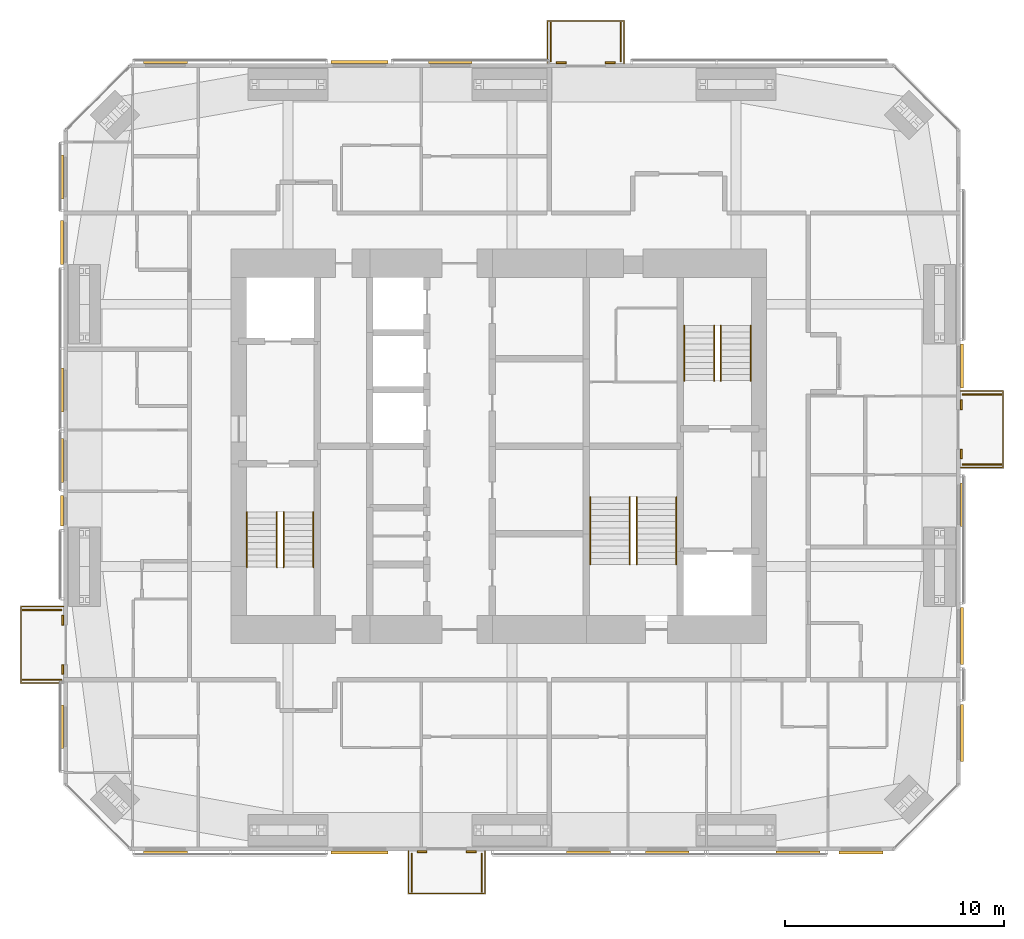
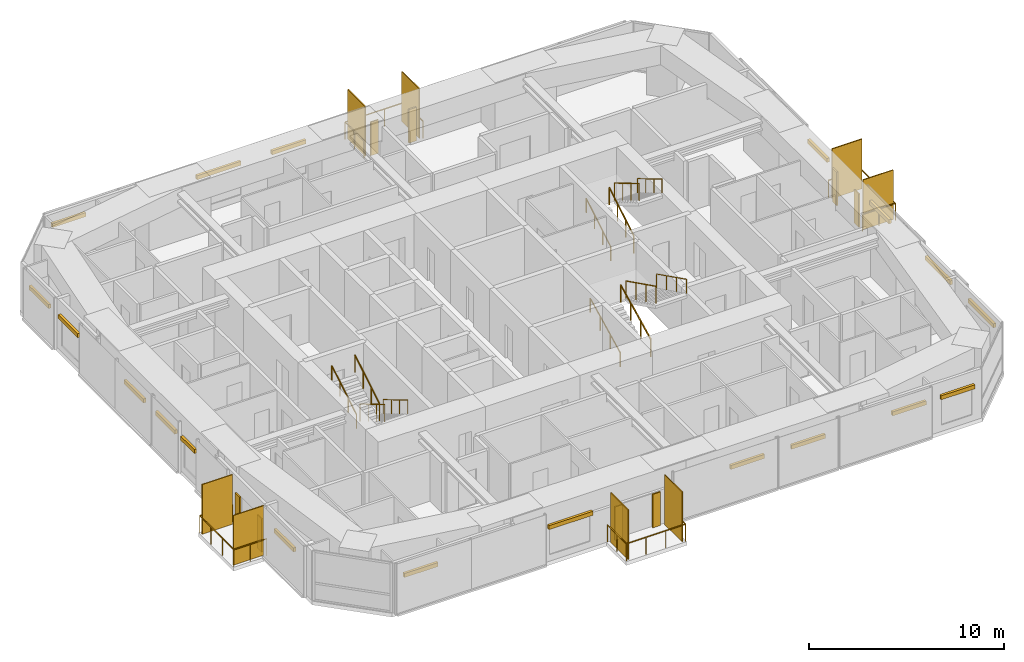
# One storey, part 22 of 22: 35 shading devices, 16 railings.
"""IFC4 building model written with IfcOpenShell, lengths in metres."""

from ifc_helpers import new_model, si_unit, direction, frame, origin, origin_2d, place, context, subcontext, project, spatial, rectangle, circle, extrude, material, layer, layer_set, constituent, constituent_set, type_object, element, save


model = new_model("IFC4")

# Units and contexts
model_context = context("Model", 3, precision=1e-05, world=origin(), true_north=direction((0.0, 1.0)))
body_context = subcontext(model_context, "Body", "Model", "MODEL_VIEW")
ifc_project = project(units=[si_unit("LENGTHUNIT", "METRE"), si_unit("AREAUNIT", "SQUARE_METRE"), si_unit("VOLUMEUNIT", "CUBIC_METRE"), si_unit("PLANEANGLEUNIT", "RADIAN"), si_unit("MASSUNIT", "GRAM", prefix="KILO")], contexts=[model_context])

# Site, building, storey
site_placement = place(None, origin())
site = spatial("IfcSite", under=ifc_project, at=site_placement, CompositionType="ELEMENT")
building_placement = place(site_placement, origin())
building = spatial("IfcBuilding", under=site, at=building_placement, Name="Jalousie Tower", CompositionType="ELEMENT")
storey_placement = place(building_placement, frame((0.0, 0.0, 201.25)))
storey = spatial("IfcBuildingStorey", under=building, at=storey_placement, Name="L55", CompositionType="ELEMENT", Elevation=201.25)

# Shading devices
ifc_material_1 = material(Name="Aluminium impact-rated louvred storm shutter", Category="aluminium")
shading_device_type_1 = type_object("IfcShadingDeviceType", Name="BI-FOLD STORM SHUTTER 900x2100", PredefinedType="SHUTTER", material=ifc_material_1)
for number, where, z_axis, x_axis, name in (
    (1, (28.387451171875, -0.0400390625, 0.0), (0.0, 0.0, 1.0), (1.0, 0.0, 0.0), "Balcony storm shutter L55"),
    (2, (30.637451171875, -0.0400390625, 0.0), (0.0, 0.0, 1.0), (1.0, 0.0, 0.0), "Balcony storm shutter L55"),
    (3, (53.0400390625, 18.14990234375, 0.0), (0.0, 0.0, 1.0), (0.0, 1.0, 0.0), "Balcony storm shutter L55"),
    (4, (53.0400390625, 20.39990234375, 0.0), (0.0, 0.0, 1.0), (0.0, 1.0, 0.0), "Balcony storm shutter L55"),
    (5, (37.0, 36.0400390625, 0.0), (0.0, 0.0, 1.0), (-1.0, 0.0, 0.0), "Balcony storm shutter L55"),
    (6, (34.75, 36.0400390625, 0.0), (0.0, 0.0, 1.0), (-1.0, 0.0, 0.0), "Balcony storm shutter L55"),
    (7, (11.9599609375, 10.550048828125, 0.0), (0.0, 0.0, 1.0), (0.0, -1.0, 0.0), "Balcony storm shutter L55"),
    (8, (11.9599609375, 8.300048828125, 0.0), (0.0, 0.0, 1.0), (0.0, -1.0, 0.0), "Balcony storm shutter L55"),
):
    element("IfcShadingDevice", number, at=place(storey_placement, frame(where, z_axis=z_axis, x_axis=x_axis)), inside=storey, type_object=shading_device_type_1, Name=name, PredefinedType="SHUTTER", context=body_context, shape_type="SweptSolid", body=[
        extrude(rectangle(XDim=0.449951171875, YDim=0.080078125, at=origin_2d()), origin(), (0.0, 0.0, 1.0), 2.10009765625),
    ])

# Railings
ifc_material_2 = material(Name="Powder-coated aluminium fretwork", Category="aluminium")
railing_type_1 = type_object("IfcRailingType", Name="FRETWORK BALUSTRADE 1100", PredefinedType="BALUSTRADE", material=ifc_material_2)
railing_1_placement = place(storey_placement, frame((27.762451171875, 0.0, 0.0)))
element("IfcRailing", 9, at=railing_1_placement, inside=storey, type_object=railing_type_1, Name="Balcony fretwork balustrade L55", PredefinedType="BALUSTRADE", context=body_context, shape_type="SweptSolid", body=[
    extrude(rectangle(XDim=0.048095703125, YDim=0.048095703125, at=origin_2d()), frame((0.0, 0.0, 1.076171875), z_axis=(0.0, -1.0, 0.0), x_axis=(1.0, 0.0, 0.0)), (0.0, 0.0, 1.0), 1.949951171875),
    extrude(rectangle(XDim=0.048095703125, YDim=0.048095703125, at=origin_2d()), frame((0.0, -1.949951171875, 1.076171875), z_axis=(1.0, 0.0, 0.0), x_axis=(0.0, 1.0, 0.0)), (0.0, 0.0, 1.0), 3.5),
    extrude(rectangle(XDim=0.048095703125, YDim=0.048095703125, at=origin_2d()), frame((3.5, -1.949951171875, 1.076171875), z_axis=(0.0, 1.0, 0.0), x_axis=(-1.0, 0.0, 0.0)), (0.0, 0.0, 1.0), 1.949951171875),
    extrude(circle(Radius=0.02099609375, at=origin_2d()), origin(), (0.0, 0.0, 1.0), 1.052001953125),
    extrude(circle(Radius=0.02099609375, at=origin_2d()), frame((0.0, -0.97509765625, 0.0)), (0.0, 0.0, 1.0), 1.052001953125),
    extrude(circle(Radius=0.02099609375, at=origin_2d()), frame((0.0, -1.949951171875, 0.0)), (0.0, 0.0, 1.0), 1.052001953125),
    extrude(circle(Radius=0.02099609375, at=origin_2d()), frame((1.166748046875, -1.949951171875, 0.0)), (0.0, 0.0, 1.0), 1.052001953125),
    extrude(circle(Radius=0.02099609375, at=origin_2d()), frame((2.333251953125, -1.949951171875, 0.0)), (0.0, 0.0, 1.0), 1.052001953125),
    extrude(circle(Radius=0.02099609375, at=origin_2d()), frame((3.5, -1.949951171875, 0.0)), (0.0, 0.0, 1.0), 1.052001953125),
    extrude(circle(Radius=0.02099609375, at=origin_2d()), frame((3.5, -0.97509765625, 0.0)), (0.0, 0.0, 1.0), 1.052001953125),
    extrude(circle(Radius=0.02099609375, at=origin_2d()), frame((3.5, 0.0, 0.0)), (0.0, 0.0, 1.0), 1.052001953125),
])
railing_2_placement = place(storey_placement, frame((53.0, 17.52490234375, 0.0)))
element("IfcRailing", 10, at=railing_2_placement, inside=storey, type_object=railing_type_1, Name="Balcony fretwork balustrade L55", PredefinedType="BALUSTRADE", context=body_context, shape_type="SweptSolid", body=[
    extrude(rectangle(XDim=0.048095703125, YDim=0.048095703125, at=origin_2d()), frame((0.0, 0.0, 1.076171875), z_axis=(1.0, 0.0, 0.0), x_axis=(0.0, 1.0, 0.0)), (0.0, 0.0, 1.0), 1.949951171875),
    extrude(rectangle(XDim=0.048095703125, YDim=0.048095703125, at=origin_2d()), frame((1.949951171875, 0.0, 1.076171875), z_axis=(0.0, 1.0, 0.0), x_axis=(-1.0, 0.0, 0.0)), (0.0, 0.0, 1.0), 3.5),
    extrude(rectangle(XDim=0.048095703125, YDim=0.048095703125, at=origin_2d()), frame((1.949951171875, 3.5, 1.076171875), z_axis=(-1.0, 0.0, 0.0), x_axis=(0.0, -1.0, 0.0)), (0.0, 0.0, 1.0), 1.949951171875),
    extrude(circle(Radius=0.02099609375, at=origin_2d()), origin(), (0.0, 0.0, 1.0), 1.052001953125),
    extrude(circle(Radius=0.02099609375, at=origin_2d()), frame((0.97509765625, 0.0, 0.0)), (0.0, 0.0, 1.0), 1.052001953125),
    extrude(circle(Radius=0.02099609375, at=origin_2d()), frame((1.949951171875, 0.0, 0.0)), (0.0, 0.0, 1.0), 1.052001953125),
    extrude(circle(Radius=0.02099609375, at=origin_2d()), frame((1.949951171875, 1.166748046875, 0.0)), (0.0, 0.0, 1.0), 1.052001953125),
    extrude(circle(Radius=0.02099609375, at=origin_2d()), frame((1.949951171875, 2.333251953125, 0.0)), (0.0, 0.0, 1.0), 1.052001953125),
    extrude(circle(Radius=0.02099609375, at=origin_2d()), frame((1.949951171875, 3.5, 0.0)), (0.0, 0.0, 1.0), 1.052001953125),
    extrude(circle(Radius=0.02099609375, at=origin_2d()), frame((0.97509765625, 3.5, 0.0)), (0.0, 0.0, 1.0), 1.052001953125),
    extrude(circle(Radius=0.02099609375, at=origin_2d()), frame((0.0, 3.5, 0.0)), (0.0, 0.0, 1.0), 1.052001953125),
])
railing_3_placement = place(storey_placement, frame((37.625, 36.0, 0.0)))
element("IfcRailing", 11, at=railing_3_placement, inside=storey, type_object=railing_type_1, Name="Balcony fretwork balustrade L55", PredefinedType="BALUSTRADE", context=body_context, shape_type="SweptSolid", body=[
    extrude(rectangle(XDim=0.048095703125, YDim=0.048095703125, at=origin_2d()), frame((0.0, 0.0, 1.076171875), z_axis=(0.0, 1.0, 0.0), x_axis=(-1.0, 0.0, 0.0)), (0.0, 0.0, 1.0), 1.949951171875),
    extrude(rectangle(XDim=0.048095703125, YDim=0.048095703125, at=origin_2d()), frame((0.0, 1.949951171875, 1.076171875), z_axis=(-1.0, 0.0, 0.0), x_axis=(0.0, -1.0, 0.0)), (0.0, 0.0, 1.0), 3.5),
    extrude(rectangle(XDim=0.048095703125, YDim=0.048095703125, at=origin_2d()), frame((-3.5, 1.949951171875, 1.076171875), z_axis=(0.0, -1.0, 0.0), x_axis=(1.0, 0.0, 0.0)), (0.0, 0.0, 1.0), 1.949951171875),
    extrude(circle(Radius=0.02099609375, at=origin_2d()), origin(), (0.0, 0.0, 1.0), 1.052001953125),
    extrude(circle(Radius=0.02099609375, at=origin_2d()), frame((0.0, 0.97509765625, 0.0)), (0.0, 0.0, 1.0), 1.052001953125),
    extrude(circle(Radius=0.02099609375, at=origin_2d()), frame((0.0, 1.949951171875, 0.0)), (0.0, 0.0, 1.0), 1.052001953125),
    extrude(circle(Radius=0.02099609375, at=origin_2d()), frame((-1.166748046875, 1.949951171875, 0.0)), (0.0, 0.0, 1.0), 1.052001953125),
    extrude(circle(Radius=0.02099609375, at=origin_2d()), frame((-2.333251953125, 1.949951171875, 0.0)), (0.0, 0.0, 1.0), 1.052001953125),
    extrude(circle(Radius=0.02099609375, at=origin_2d()), frame((-3.5, 1.949951171875, 0.0)), (0.0, 0.0, 1.0), 1.052001953125),
    extrude(circle(Radius=0.02099609375, at=origin_2d()), frame((-3.5, 0.97509765625, 0.0)), (0.0, 0.0, 1.0), 1.052001953125),
    extrude(circle(Radius=0.02099609375, at=origin_2d()), frame((-3.5, 0.0, 0.0)), (0.0, 0.0, 1.0), 1.052001953125),
])
railing_4_placement = place(storey_placement, frame((12.0, 11.175048828125, 0.0)))
element("IfcRailing", 12, at=railing_4_placement, inside=storey, type_object=railing_type_1, Name="Balcony fretwork balustrade L55", PredefinedType="BALUSTRADE", context=body_context, shape_type="SweptSolid", body=[
    extrude(rectangle(XDim=0.048095703125, YDim=0.048095703125, at=origin_2d()), frame((0.0, 0.0, 1.076171875), z_axis=(-1.0, 0.0, 0.0), x_axis=(0.0, -1.0, 0.0)), (0.0, 0.0, 1.0), 1.949951171875),
    extrude(rectangle(XDim=0.048095703125, YDim=0.048095703125, at=origin_2d()), frame((-1.949951171875, 0.0, 1.076171875), z_axis=(0.0, -1.0, 0.0), x_axis=(1.0, 0.0, 0.0)), (0.0, 0.0, 1.0), 3.5),
    extrude(rectangle(XDim=0.048095703125, YDim=0.048095703125, at=origin_2d()), frame((-1.949951171875, -3.5, 1.076171875), z_axis=(1.0, 0.0, 0.0), x_axis=(0.0, 1.0, 0.0)), (0.0, 0.0, 1.0), 1.949951171875),
    extrude(circle(Radius=0.02099609375, at=origin_2d()), origin(), (0.0, 0.0, 1.0), 1.052001953125),
    extrude(circle(Radius=0.02099609375, at=origin_2d()), frame((-0.97509765625, 0.0, 0.0)), (0.0, 0.0, 1.0), 1.052001953125),
    extrude(circle(Radius=0.02099609375, at=origin_2d()), frame((-1.949951171875, 0.0, 0.0)), (0.0, 0.0, 1.0), 1.052001953125),
    extrude(circle(Radius=0.02099609375, at=origin_2d()), frame((-1.949951171875, -1.166748046875, 0.0)), (0.0, 0.0, 1.0), 1.052001953125),
    extrude(circle(Radius=0.02099609375, at=origin_2d()), frame((-1.949951171875, -2.333251953125, 0.0)), (0.0, 0.0, 1.0), 1.052001953125),
    extrude(circle(Radius=0.02099609375, at=origin_2d()), frame((-1.949951171875, -3.5, 0.0)), (0.0, 0.0, 1.0), 1.052001953125),
    extrude(circle(Radius=0.02099609375, at=origin_2d()), frame((-0.97509765625, -3.5, 0.0)), (0.0, 0.0, 1.0), 1.052001953125),
    extrude(circle(Radius=0.02099609375, at=origin_2d()), frame((0.0, -3.5, 0.0)), (0.0, 0.0, 1.0), 1.052001953125),
])

# Shading devices
ifc_material_3 = material(Name="Powder-coated aluminium louvres", Category="aluminium")
ifc_layer = layer(ifc_material_3, 0.06005859375)
ifc_layer_set = layer_set([ifc_layer], Name="Powder-coated aluminium louvres")
shading_device_type_2 = type_object("IfcShadingDeviceType", Name="JALOUSIE LOUVRE SCREEN", PredefinedType="JALOUSIE", material=ifc_layer_set)
for number, where, z_axis, x_axis, name in (
    (13, (27.91259765625, -1.0, 0.0), (0.0, 0.0, 1.0), (1.0, 0.0, 0.0), "Jalousie louvre screen L55"),
    (14, (31.112548828125, -1.0, 0.0), (0.0, 0.0, 1.0), (1.0, 0.0, 0.0), "Jalousie louvre screen L55"),
    (15, (54.0, 17.675048828125, 0.0), (0.0, 0.0, 1.0), (0.0, 1.0, 0.0), "Jalousie louvre screen L55"),
    (16, (54.0, 20.875, 0.0), (0.0, 0.0, 1.0), (0.0, 1.0, 0.0), "Jalousie louvre screen L55"),
    (17, (37.47509765625, 37.0, 0.0), (0.0, 0.0, 1.0), (-1.0, 0.0, 0.0), "Jalousie louvre screen L55"),
    (18, (34.27490234375, 37.0, 0.0), (0.0, 0.0, 1.0), (-1.0, 0.0, 0.0), "Jalousie louvre screen L55"),
    (19, (11.0, 11.02490234375, 0.0), (0.0, 0.0, 1.0), (0.0, -1.0, 0.0), "Jalousie louvre screen L55"),
    (20, (11.0, 7.824951171875, 0.0), (0.0, 0.0, 1.0), (0.0, -1.0, 0.0), "Jalousie louvre screen L55"),
):
    element("IfcShadingDevice", number, at=place(storey_placement, frame(where, z_axis=z_axis, x_axis=x_axis)), inside=storey, type_object=shading_device_type_2, Name=name, PredefinedType="JALOUSIE", context=body_context, shape_type="SweptSolid", body=[
        extrude(rectangle(XDim=0.06005859375, YDim=1.800048828125, at=origin_2d()), origin(), (0.0, 0.0, 1.0), 3.110107421875),
    ])

# Railings
ifc_material_4 = material(Name="Steel ASTM A500 Grade C", Category="steel")
ifc_constituent_1 = constituent(ifc_material_4, Name="Body")
ifc_material_5 = material(Name="Hot-dip galvanised zinc coating")
ifc_constituent_2 = constituent(ifc_material_5, Name="Finish")
ifc_constituent_set_1 = constituent_set(constituents=[ifc_constituent_1, ifc_constituent_2])
railing_type_2 = type_object("IfcRailingType", Name="STAIR GUARD 1100", PredefinedType="GUARDRAIL", material=ifc_constituent_set_1)
railing_5_placement = place(storey_placement, frame((22.054931640625, 15.49755859375, 0.16748046875)))
element("IfcRailing", 21, at=railing_5_placement, inside=storey, type_object=railing_type_2, Name="Exit stair A guard L55 flight 1", PredefinedType="GUARDRAIL", context=body_context, shape_type="SweptSolid", body=[
    extrude(rectangle(XDim=0.048095703125, YDim=0.048095703125, at=origin_2d()), frame((0.0, 0.0, 1.076171875), z_axis=(0.0, -0.858159760407, 0.513382728203), x_axis=(1.0, 0.0, 0.0)), (0.0, 0.0, 1.0), 2.9365234375),
    extrude(circle(Radius=0.02099609375, at=origin_2d()), origin(), (0.0, 0.0, 1.0), 1.052001953125),
    extrude(circle(Radius=0.02099609375, at=origin_2d()), frame((0.0, -0.840087890625, 0.50244140625)), (0.0, 0.0, 1.0), 1.052001953125),
    extrude(circle(Radius=0.02099609375, at=origin_2d()), frame((0.0, -1.679931640625, 1.005126953125)), (0.0, 0.0, 1.0), 1.052001953125),
    extrude(circle(Radius=0.02099609375, at=origin_2d()), frame((0.0, -2.52001953125, 1.507568359375)), (0.0, 0.0, 1.0), 1.052001953125),
])
for number, where, name in (
    (22, (21.7451171875, 12.9775390625, 1.842529296875), "Exit stair A guard L55 flight 2"),
    (23, (41.7451171875, 21.50244140625, 0.16748046875), "Exit stair B guard L55 flight 1"),
):
    element("IfcRailing", number, at=place(storey_placement, frame(where)), inside=storey, type_object=railing_type_2, Name=name, PredefinedType="GUARDRAIL", context=body_context, shape_type="SweptSolid", body=[
        extrude(rectangle(XDim=0.048095703125, YDim=0.048095703125, at=origin_2d()), frame((0.0, 0.0, 1.076171875), z_axis=(0.0, 0.858159760407, 0.513382728203), x_axis=(-1.0, 0.0, 0.0)), (0.0, 0.0, 1.0), 2.9365234375),
        extrude(circle(Radius=0.02099609375, at=origin_2d()), origin(), (0.0, 0.0, 1.0), 1.052001953125),
        extrude(circle(Radius=0.02099609375, at=origin_2d()), frame((0.0, 0.840087890625, 0.50244140625)), (0.0, 0.0, 1.0), 1.052001953125),
        extrude(circle(Radius=0.02099609375, at=origin_2d()), frame((0.0, 1.679931640625, 1.005126953125)), (0.0, 0.0, 1.0), 1.052001953125),
        extrude(circle(Radius=0.02099609375, at=origin_2d()), frame((0.0, 2.52001953125, 1.507568359375)), (0.0, 0.0, 1.0), 1.052001953125),
    ])
railing_6_placement = place(storey_placement, frame((42.054931640625, 24.0224609375, 1.842529296875)))
element("IfcRailing", 24, at=railing_6_placement, inside=storey, type_object=railing_type_2, Name="Exit stair B guard L55 flight 2", PredefinedType="GUARDRAIL", context=body_context, shape_type="SweptSolid", body=[
    extrude(rectangle(XDim=0.048095703125, YDim=0.048095703125, at=origin_2d()), frame((0.0, 0.0, 1.076171875), z_axis=(0.0, -0.858159760407, 0.513382728203), x_axis=(1.0, 0.0, 0.0)), (0.0, 0.0, 1.0), 2.9365234375),
    extrude(circle(Radius=0.02099609375, at=origin_2d()), origin(), (0.0, 0.0, 1.0), 1.052001953125),
    extrude(circle(Radius=0.02099609375, at=origin_2d()), frame((0.0, -0.840087890625, 0.50244140625)), (0.0, 0.0, 1.0), 1.052001953125),
    extrude(circle(Radius=0.02099609375, at=origin_2d()), frame((0.0, -1.679931640625, 1.005126953125)), (0.0, 0.0, 1.0), 1.052001953125),
    extrude(circle(Radius=0.02099609375, at=origin_2d()), frame((0.0, -2.52001953125, 1.507568359375)), (0.0, 0.0, 1.0), 1.052001953125),
])
railing_7_placement = place(storey_placement, frame((37.89501953125, 13.097412109375, 0.1396484375)))
element("IfcRailing", 25, at=railing_7_placement, inside=storey, type_object=railing_type_2, Name="Exit stair C guard L55 flight 1", PredefinedType="GUARDRAIL", context=body_context, shape_type="SweptSolid", body=[
    extrude(rectangle(XDim=0.048095703125, YDim=0.048095703125, at=origin_2d()), frame((0.0, 0.0, 1.076171875), z_axis=(0.0, 0.894965676997, 0.446134998624), x_axis=(-1.0, 0.0, 0.0)), (0.0, 0.0, 1.0), 3.441650390625),
    extrude(circle(Radius=0.02099609375, at=origin_2d()), origin(), (0.0, 0.0, 1.0), 1.052001953125),
    extrude(circle(Radius=0.02099609375, at=origin_2d()), frame((0.0, 1.026611328125, 0.51171875)), (0.0, 0.0, 1.0), 1.052001953125),
    extrude(circle(Radius=0.02099609375, at=origin_2d()), frame((0.0, 2.053466796875, 1.023681640625)), (0.0, 0.0, 1.0), 1.052001953125),
    extrude(circle(Radius=0.02099609375, at=origin_2d()), frame((0.0, 3.080078125, 1.535400390625)), (0.0, 0.0, 1.0), 1.052001953125),
])
railing_8_placement = place(storey_placement, frame((38.205078125, 16.177490234375, 1.814697265625)))
element("IfcRailing", 26, at=railing_8_placement, inside=storey, type_object=railing_type_2, Name="Exit stair C guard L55 flight 2", PredefinedType="GUARDRAIL", context=body_context, shape_type="SweptSolid", body=[
    extrude(rectangle(XDim=0.048095703125, YDim=0.048095703125, at=origin_2d()), frame((0.0, 0.0, 1.076171875), z_axis=(0.0, -0.894965676997, 0.446134998624), x_axis=(1.0, 0.0, 0.0)), (0.0, 0.0, 1.0), 3.441650390625),
    extrude(circle(Radius=0.02099609375, at=origin_2d()), origin(), (0.0, 0.0, 1.0), 1.052001953125),
    extrude(circle(Radius=0.02099609375, at=origin_2d()), frame((0.0, -1.026611328125, 0.51171875)), (0.0, 0.0, 1.0), 1.052001953125),
    extrude(circle(Radius=0.02099609375, at=origin_2d()), frame((0.0, -2.053466796875, 1.023681640625)), (0.0, 0.0, 1.0), 1.052001953125),
    extrude(circle(Radius=0.02099609375, at=origin_2d()), frame((0.0, -3.080078125, 1.535400390625)), (0.0, 0.0, 1.0), 1.052001953125),
])
ifc_material_6 = material(Name="Steel ASTM A500 Grade C", Category="steel")
ifc_constituent_3 = constituent(ifc_material_6, Name="Body")
ifc_material_7 = material(Name="Hot-dip galvanised zinc coating")
ifc_constituent_4 = constituent(ifc_material_7, Name="Finish")
ifc_constituent_set_2 = constituent_set(constituents=[ifc_constituent_3, ifc_constituent_4])
railing_type_3 = type_object("IfcRailingType", Name="STAIR HANDRAIL 900", PredefinedType="HANDRAIL", material=ifc_constituent_set_2)
railing_9_placement = place(storey_placement, frame((23.419921875, 15.49755859375, 0.16748046875)))
element("IfcRailing", 27, at=railing_9_placement, inside=storey, type_object=railing_type_3, Name="Exit stair A handrail L55 flight 1", PredefinedType="HANDRAIL", context=body_context, shape_type="SweptSolid", body=[
    extrude(circle(Radius=0.02392578125, at=origin_2d()), frame((0.0, 0.0, 0.8759765625), z_axis=(0.0, -0.858159760407, 0.513382728203), x_axis=(1.0, 0.0, 0.0)), (0.0, 0.0, 1.0), 2.9365234375),
    extrude(circle(Radius=0.02099609375, at=origin_2d()), origin(), (0.0, 0.0, 1.0), 0.851806640625),
    extrude(circle(Radius=0.02099609375, at=origin_2d()), frame((0.0, -0.840087890625, 0.50244140625)), (0.0, 0.0, 1.0), 0.851806640625),
    extrude(circle(Radius=0.02099609375, at=origin_2d()), frame((0.0, -1.679931640625, 1.005126953125)), (0.0, 0.0, 1.0), 0.851806640625),
    extrude(circle(Radius=0.02099609375, at=origin_2d()), frame((0.0, -2.52001953125, 1.507568359375)), (0.0, 0.0, 1.0), 0.851806640625),
])
for number, where, name in (
    (28, (20.3798828125, 12.9775390625, 1.842529296875), "Exit stair A handrail L55 flight 2"),
    (29, (40.3798828125, 21.50244140625, 0.16748046875), "Exit stair B handrail L55 flight 1"),
):
    element("IfcRailing", number, at=place(storey_placement, frame(where)), inside=storey, type_object=railing_type_3, Name=name, PredefinedType="HANDRAIL", context=body_context, shape_type="SweptSolid", body=[
        extrude(circle(Radius=0.02392578125, at=origin_2d()), frame((0.0, 0.0, 0.8759765625), z_axis=(0.0, 0.858159760407, 0.513382728203), x_axis=(-1.0, 0.0, 0.0)), (0.0, 0.0, 1.0), 2.9365234375),
        extrude(circle(Radius=0.02099609375, at=origin_2d()), origin(), (0.0, 0.0, 1.0), 0.851806640625),
        extrude(circle(Radius=0.02099609375, at=origin_2d()), frame((0.0, 0.840087890625, 0.50244140625)), (0.0, 0.0, 1.0), 0.851806640625),
        extrude(circle(Radius=0.02099609375, at=origin_2d()), frame((0.0, 1.679931640625, 1.005126953125)), (0.0, 0.0, 1.0), 0.851806640625),
        extrude(circle(Radius=0.02099609375, at=origin_2d()), frame((0.0, 2.52001953125, 1.507568359375)), (0.0, 0.0, 1.0), 0.851806640625),
    ])
railing_10_placement = place(storey_placement, frame((43.419921875, 24.0224609375, 1.842529296875)))
element("IfcRailing", 30, at=railing_10_placement, inside=storey, type_object=railing_type_3, Name="Exit stair B handrail L55 flight 2", PredefinedType="HANDRAIL", context=body_context, shape_type="SweptSolid", body=[
    extrude(circle(Radius=0.02392578125, at=origin_2d()), frame((0.0, 0.0, 0.8759765625), z_axis=(0.0, -0.858159760407, 0.513382728203), x_axis=(1.0, 0.0, 0.0)), (0.0, 0.0, 1.0), 2.9365234375),
    extrude(circle(Radius=0.02099609375, at=origin_2d()), origin(), (0.0, 0.0, 1.0), 0.851806640625),
    extrude(circle(Radius=0.02099609375, at=origin_2d()), frame((0.0, -0.840087890625, 0.50244140625)), (0.0, 0.0, 1.0), 0.851806640625),
    extrude(circle(Radius=0.02099609375, at=origin_2d()), frame((0.0, -1.679931640625, 1.005126953125)), (0.0, 0.0, 1.0), 0.851806640625),
    extrude(circle(Radius=0.02099609375, at=origin_2d()), frame((0.0, -2.52001953125, 1.507568359375)), (0.0, 0.0, 1.0), 0.851806640625),
])
railing_11_placement = place(storey_placement, frame((36.080078125, 13.097412109375, 0.1396484375)))
element("IfcRailing", 31, at=railing_11_placement, inside=storey, type_object=railing_type_3, Name="Exit stair C handrail L55 flight 1", PredefinedType="HANDRAIL", context=body_context, shape_type="SweptSolid", body=[
    extrude(circle(Radius=0.02392578125, at=origin_2d()), frame((0.0, 0.0, 0.8759765625), z_axis=(0.0, 0.894965676997, 0.446134998624), x_axis=(-1.0, 0.0, 0.0)), (0.0, 0.0, 1.0), 3.441650390625),
    extrude(circle(Radius=0.02099609375, at=origin_2d()), origin(), (0.0, 0.0, 1.0), 0.851806640625),
    extrude(circle(Radius=0.02099609375, at=origin_2d()), frame((0.0, 1.026611328125, 0.51171875)), (0.0, 0.0, 1.0), 0.851806640625),
    extrude(circle(Radius=0.02099609375, at=origin_2d()), frame((0.0, 2.053466796875, 1.023681640625)), (0.0, 0.0, 1.0), 0.851806640625),
    extrude(circle(Radius=0.02099609375, at=origin_2d()), frame((0.0, 3.080078125, 1.535400390625)), (0.0, 0.0, 1.0), 0.851806640625),
])
railing_12_placement = place(storey_placement, frame((40.02001953125, 16.177490234375, 1.814697265625)))
element("IfcRailing", 32, at=railing_12_placement, inside=storey, type_object=railing_type_3, Name="Exit stair C handrail L55 flight 2", PredefinedType="HANDRAIL", context=body_context, shape_type="SweptSolid", body=[
    extrude(circle(Radius=0.02392578125, at=origin_2d()), frame((0.0, 0.0, 0.8759765625), z_axis=(0.0, -0.894965676997, 0.446134998624), x_axis=(1.0, 0.0, 0.0)), (0.0, 0.0, 1.0), 3.441650390625),
    extrude(circle(Radius=0.02099609375, at=origin_2d()), origin(), (0.0, 0.0, 1.0), 0.851806640625),
    extrude(circle(Radius=0.02099609375, at=origin_2d()), frame((0.0, -1.026611328125, 0.51171875)), (0.0, 0.0, 1.0), 0.851806640625),
    extrude(circle(Radius=0.02099609375, at=origin_2d()), frame((0.0, -2.053466796875, 1.023681640625)), (0.0, 0.0, 1.0), 0.851806640625),
    extrude(circle(Radius=0.02099609375, at=origin_2d()), frame((0.0, -3.080078125, 1.535400390625)), (0.0, 0.0, 1.0), 0.851806640625),
])

# Shading devices
ifc_material_8 = material(Name="Aluminium roller storm shutter", Category="aluminium")
shading_device_type_3 = type_object("IfcShadingDeviceType", Name="STORM SHUTTER HOUSING", PredefinedType="SHUTTER", material=ifc_material_8)
shading_device_1_placement = place(storey_placement, frame((16.64990234375, -0.074951171875, 2.10009765625), z_axis=(0.0, 0.0, 1.0), x_axis=(1.0, 0.0, 0.0)))
element("IfcShadingDevice", 33, at=shading_device_1_placement, inside=storey, type_object=shading_device_type_3, Name="Storm shutter L55", PredefinedType="SHUTTER", context=body_context, shape_type="SweptSolid", body=[
    extrude(rectangle(XDim=2.0, YDim=0.14990234375, at=origin_2d()), origin(), (0.0, 0.0, 1.0), 0.25),
])
shading_device_2_placement = place(storey_placement, frame((25.52490234375, -0.074951171875, 2.10009765625), z_axis=(0.0, 0.0, 1.0), x_axis=(1.0, 0.0, 0.0)))
element("IfcShadingDevice", 34, at=shading_device_2_placement, inside=storey, type_object=shading_device_type_3, Name="Storm shutter L55", PredefinedType="SHUTTER", context=body_context, shape_type="SweptSolid", body=[
    extrude(rectangle(XDim=2.60009765625, YDim=0.14990234375, at=origin_2d()), origin(), (0.0, 0.0, 1.0), 0.25),
])
for number, where, z_axis, x_axis, name in (
    (35, (36.0, -0.074951171875, 2.10009765625), (0.0, 0.0, 1.0), (1.0, 0.0, 0.0), "Storm shutter L55"),
    (36, (39.60009765625, -0.074951171875, 2.10009765625), (0.0, 0.0, 1.0), (1.0, 0.0, 0.0), "Storm shutter L55"),
    (37, (45.576171875, -0.074951171875, 2.10009765625), (0.0, 0.0, 1.0), (1.0, 0.0, 0.0), "Storm shutter L55"),
    (38, (48.461181640625, -0.074951171875, 2.10009765625), (0.0, 0.0, 1.0), (1.0, 0.0, 0.0), "Storm shutter L55"),
):
    element("IfcShadingDevice", number, at=place(storey_placement, frame(where, z_axis=z_axis, x_axis=x_axis)), inside=storey, type_object=shading_device_type_3, Name=name, PredefinedType="SHUTTER", context=body_context, shape_type="SweptSolid", body=[
        extrude(rectangle(XDim=2.0, YDim=0.14990234375, at=origin_2d()), origin(), (0.0, 0.0, 1.0), 0.25),
    ])
for number, where, z_axis, x_axis, name in (
    (39, (53.074951171875, 5.38818359375, 2.10009765625), (0.0, 0.0, 1.0), (0.0, 1.0, 0.0), "Storm shutter L55"),
    (40, (53.074951171875, 9.822021484375, 2.10009765625), (0.0, 0.0, 1.0), (0.0, 1.0, 0.0), "Storm shutter L55"),
):
    element("IfcShadingDevice", number, at=place(storey_placement, frame(where, z_axis=z_axis, x_axis=x_axis)), inside=storey, type_object=shading_device_type_3, Name=name, PredefinedType="SHUTTER", context=body_context, shape_type="SweptSolid", body=[
        extrude(rectangle(XDim=2.60009765625, YDim=0.14990234375, at=origin_2d()), origin(), (0.0, 0.0, 1.0), 0.25),
    ])
for number, where, z_axis, x_axis, name in (
    (41, (53.074951171875, 15.830078125, 2.10009765625), (0.0, 0.0, 1.0), (0.0, 1.0, 0.0), "Storm shutter L55"),
    (42, (53.074951171875, 22.175048828125, 2.10009765625), (0.0, 0.0, 1.0), (0.0, 1.0, 0.0), "Storm shutter L55"),
    (43, (29.675048828125, 36.074951171875, 2.10009765625), (0.0, 0.0, 1.0), (-1.0, 0.0, 0.0), "Storm shutter L55"),
):
    element("IfcShadingDevice", number, at=place(storey_placement, frame(where, z_axis=z_axis, x_axis=x_axis)), inside=storey, type_object=shading_device_type_3, Name=name, PredefinedType="SHUTTER", context=body_context, shape_type="SweptSolid", body=[
        extrude(rectangle(XDim=2.0, YDim=0.14990234375, at=origin_2d()), origin(), (0.0, 0.0, 1.0), 0.25),
    ])
shading_device_3_placement = place(storey_placement, frame((25.52490234375, 36.074951171875, 2.10009765625), z_axis=(0.0, 0.0, 1.0), x_axis=(-1.0, 0.0, 0.0)))
element("IfcShadingDevice", 44, at=shading_device_3_placement, inside=storey, type_object=shading_device_type_3, Name="Storm shutter L55", PredefinedType="SHUTTER", context=body_context, shape_type="SweptSolid", body=[
    extrude(rectangle(XDim=2.60009765625, YDim=0.14990234375, at=origin_2d()), origin(), (0.0, 0.0, 1.0), 0.25),
])
for number, where, z_axis, x_axis, name in (
    (45, (16.64990234375, 36.074951171875, 2.10009765625), (0.0, 0.0, 1.0), (-1.0, 0.0, 0.0), "Storm shutter L55"),
    (46, (11.925048828125, 30.822509765625, 2.10009765625), (0.0, 0.0, 1.0), (0.0, -1.0, 0.0), "Storm shutter L55"),
    (47, (11.925048828125, 27.824951171875, 2.10009765625), (0.0, 0.0, 1.0), (0.0, -1.0, 0.0), "Storm shutter L55"),
    (48, (11.925048828125, 21.074951171875, 2.10009765625), (0.0, 0.0, 1.0), (0.0, -1.0, 0.0), "Storm shutter L55"),
    (49, (11.925048828125, 17.85009765625, 2.10009765625), (0.0, 0.0, 1.0), (0.0, -1.0, 0.0), "Storm shutter L55"),
):
    element("IfcShadingDevice", number, at=place(storey_placement, frame(where, z_axis=z_axis, x_axis=x_axis)), inside=storey, type_object=shading_device_type_3, Name=name, PredefinedType="SHUTTER", context=body_context, shape_type="SweptSolid", body=[
        extrude(rectangle(XDim=2.0, YDim=0.14990234375, at=origin_2d()), origin(), (0.0, 0.0, 1.0), 0.25),
    ])
shading_device_4_placement = place(storey_placement, frame((11.925048828125, 15.549560546875, 2.10009765625), z_axis=(0.0, 0.0, 1.0), x_axis=(0.0, -1.0, 0.0)))
element("IfcShadingDevice", 50, at=shading_device_4_placement, inside=storey, type_object=shading_device_type_3, Name="Storm shutter L55", PredefinedType="SHUTTER", context=body_context, shape_type="SweptSolid", body=[
    extrude(rectangle(XDim=1.39990234375, YDim=0.14990234375, at=origin_2d()), origin(), (0.0, 0.0, 1.0), 0.25),
])
shading_device_5_placement = place(storey_placement, frame((11.925048828125, 5.677490234375, 2.10009765625), z_axis=(0.0, 0.0, 1.0), x_axis=(0.0, -1.0, 0.0)))
element("IfcShadingDevice", 51, at=shading_device_5_placement, inside=storey, type_object=shading_device_type_3, Name="Storm shutter L55", PredefinedType="SHUTTER", context=body_context, shape_type="SweptSolid", body=[
    extrude(rectangle(XDim=2.0, YDim=0.14990234375, at=origin_2d()), origin(), (0.0, 0.0, 1.0), 0.25),
])

save(model, "model.ifc")
